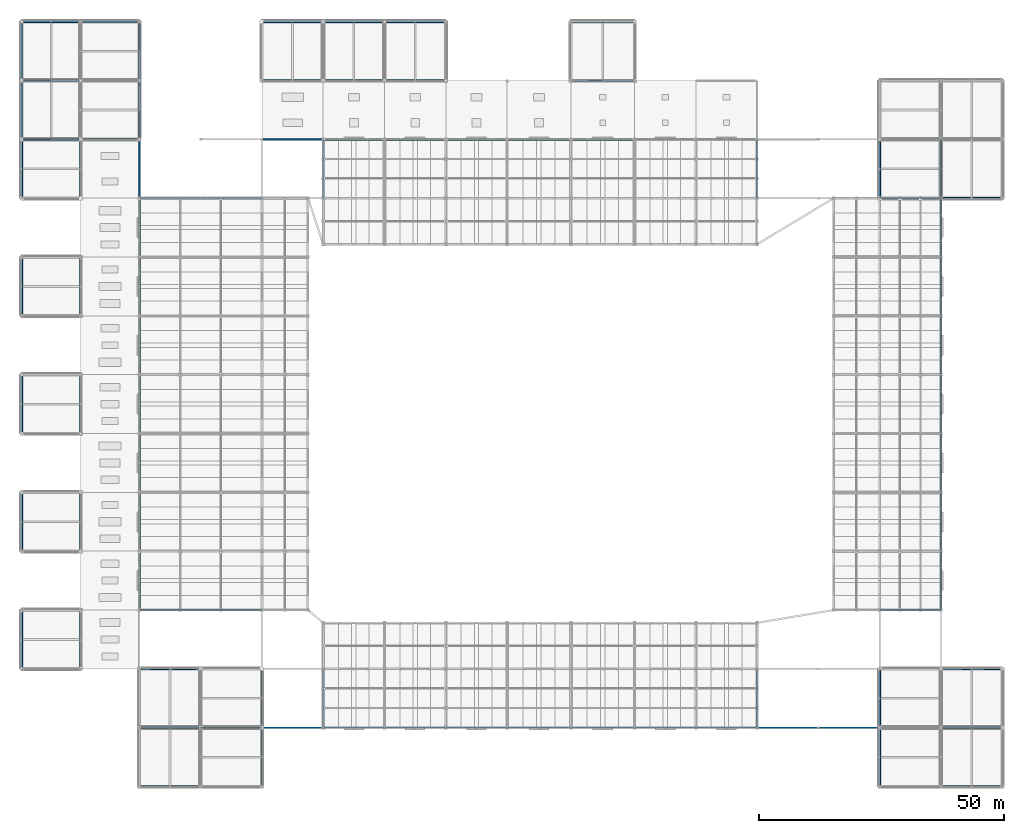
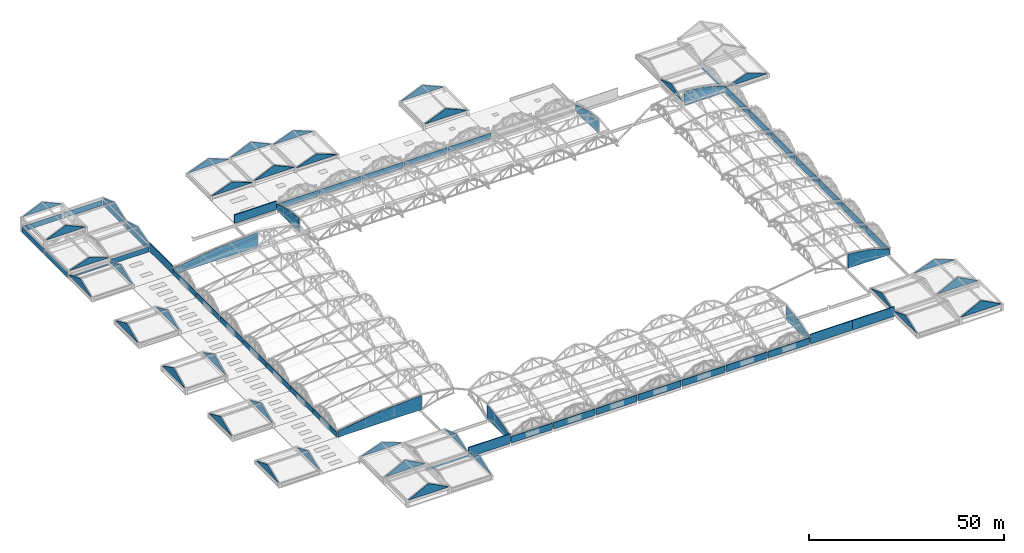
# One storey, part 109 of 117: 84 walls.
"""IFC4 building model written with IfcOpenShell, lengths in metres."""

from ifc_helpers import new_model, si_unit, direction, frame, frame_2d, origin, place, context, subcontext, project, spatial, polyline, rectangle, outline, extrude, material, layer, layer_set, type_object, element, save


model = new_model("IFC4")

# Units and contexts
model_context = context("Model", 3, precision=1e-05, world=origin(), true_north=direction((0.0, 1.0)))
body_context = subcontext(model_context, "Body", "Model", "MODEL_VIEW")
ifc_project = project(units=[si_unit("LENGTHUNIT", "METRE"), si_unit("AREAUNIT", "SQUARE_METRE"), si_unit("VOLUMEUNIT", "CUBIC_METRE"), si_unit("PLANEANGLEUNIT", "RADIAN"), si_unit("MASSUNIT", "GRAM", prefix="KILO")], contexts=[model_context])

# Site, building, storey
site_placement = place(None, origin())
site = spatial("IfcSite", under=ifc_project, at=site_placement, CompositionType="ELEMENT")
building_placement = place(site_placement, origin())
building = spatial("IfcBuilding", under=site, at=building_placement, Name="Kazenohara Klinker Stadium", CompositionType="ELEMENT")
storey_placement = place(building_placement, frame((0.0, 0.0, 31.199951171875)))
storey = spatial("IfcBuildingStorey", under=building, at=storey_placement, Name="RF", CompositionType="ELEMENT", Elevation=31.199951171875)

# Walls
ifc_material = material(Name="Clinker brick masonry", Category="masonry")
ifc_layer_1 = layer(ifc_material, 0.280029296875)
ifc_layer_set_1 = layer_set([ifc_layer_1], Name="Clinker brick masonry")
wall_type_1 = type_object("IfcWallType", Name="WAL-EXT-CB280", PredefinedType="SOLIDWALL", material=ifc_layer_set_1)
for number, where, z_axis, x_axis, name in (
    (1, (24.0, 48.154052734375, 0.0), (0.0, 0.0, 1.0), (0.0, 1.0, 0.0), "Perforated clinker-brick canopy screen spandrel EW06 W-01"),
    (2, (24.0, 60.154052734375, 0.0), (0.0, 0.0, 1.0), (0.0, 1.0, 0.0), "Perforated clinker-brick canopy screen spandrel EW06 W-02"),
    (3, (24.0, 72.154052734375, 0.0), (0.0, 0.0, 1.0), (0.0, 1.0, 0.0), "Perforated clinker-brick canopy screen spandrel EW06 W-03"),
    (4, (24.0, 84.154052734375, 0.0), (0.0, 0.0, 1.0), (0.0, 1.0, 0.0), "Perforated clinker-brick canopy screen spandrel EW06 W-04"),
    (5, (24.0, 96.154052734375, 0.0), (0.0, 0.0, 1.0), (0.0, 1.0, 0.0), "Perforated clinker-brick canopy screen spandrel EW06 W-05"),
    (6, (24.0, 108.154052734375, 0.0), (0.0, 0.0, 1.0), (0.0, 1.0, 0.0), "Perforated clinker-brick canopy screen spandrel EW06 W-06"),
    (7, (24.0, 120.154052734375, 0.0), (0.0, 0.0, 1.0), (0.0, 1.0, 0.0), "Perforated clinker-brick canopy screen spandrel EW06 W-07"),
):
    element("IfcWall", number, at=place(storey_placement, frame(where, z_axis=z_axis, x_axis=x_axis)), inside=storey, type_object=wall_type_1, Name=name, PredefinedType="SOLIDWALL", context=body_context, shape_type="SweptSolid", body=[
        extrude(rectangle(XDim=11.69189453125, YDim=0.280029296875, at=frame_2d((5.845947265625, 0.0))), origin(), (0.0, 0.0, 1.0), 1.650146484375),
    ])
for number, where, z_axis, x_axis, name in (
    (8, (187.5, 48.154052734375, -0.369873046875), (0.0, 0.0, 1.0), (0.0, 1.0, 0.0), "Perforated clinker-brick canopy screen spandrel EW06 E-01"),
    (9, (187.5, 60.154052734375, -0.369873046875), (0.0, 0.0, 1.0), (0.0, 1.0, 0.0), "Perforated clinker-brick canopy screen spandrel EW06 E-02"),
    (10, (187.5, 72.154052734375, -0.369873046875), (0.0, 0.0, 1.0), (0.0, 1.0, 0.0), "Perforated clinker-brick canopy screen spandrel EW06 E-03"),
    (11, (187.5, 84.154052734375, -0.369873046875), (0.0, 0.0, 1.0), (0.0, 1.0, 0.0), "Perforated clinker-brick canopy screen spandrel EW06 E-04"),
    (12, (187.5, 96.154052734375, -0.369873046875), (0.0, 0.0, 1.0), (0.0, 1.0, 0.0), "Perforated clinker-brick canopy screen spandrel EW06 E-05"),
    (13, (187.5, 108.154052734375, -0.369873046875), (0.0, 0.0, 1.0), (0.0, 1.0, 0.0), "Perforated clinker-brick canopy screen spandrel EW06 E-06"),
    (14, (187.5, 120.154052734375, -0.369873046875), (0.0, 0.0, 1.0), (0.0, 1.0, 0.0), "Perforated clinker-brick canopy screen spandrel EW06 E-07"),
):
    element("IfcWall", number, at=place(storey_placement, frame(where, z_axis=z_axis, x_axis=x_axis)), inside=storey, type_object=wall_type_1, Name=name, PredefinedType="SOLIDWALL", context=body_context, shape_type="SweptSolid", body=[
        extrude(rectangle(XDim=11.69189453125, YDim=0.280029296875, at=frame_2d((5.845947265625, 0.0))), origin(), (0.0, 0.0, 1.0), 2.02001953125),
    ])
for number, where, z_axis, x_axis, name in (
    (15, (61.654052734375, 144.0, 0.0), (0.0, 0.0, 1.0), (1.0, 0.0, 0.0), "Perforated clinker-brick canopy screen spandrel EW06 N-01"),
    (16, (74.154052734375, 144.0, 0.0), (0.0, 0.0, 1.0), (1.0, 0.0, 0.0), "Perforated clinker-brick canopy screen spandrel EW06 N-02"),
    (17, (86.654052734375, 144.0, 0.0), (0.0, 0.0, 1.0), (1.0, 0.0, 0.0), "Perforated clinker-brick canopy screen spandrel EW06 N-03"),
):
    element("IfcWall", number, at=place(storey_placement, frame(where, z_axis=z_axis, x_axis=x_axis)), inside=storey, type_object=wall_type_1, Name=name, PredefinedType="SOLIDWALL", context=body_context, shape_type="SweptSolid", body=[
        extrude(rectangle(XDim=12.19189453125, YDim=0.280029296875, at=frame_2d((6.095947265625, 0.0))), origin(), (0.0, 0.0, 1.0), 1.650146484375),
    ])
for number, where, z_axis, x_axis, name in (
    (18, (99.154052734375, 144.0, 0.0), (0.0, 0.0, 1.0), (1.0, 0.0, 0.0), "Perforated clinker-brick canopy screen spandrel EW06 N-04"),
    (19, (112.154052734375, 144.0, 0.0), (0.0, 0.0, 1.0), (1.0, 0.0, 0.0), "Perforated clinker-brick canopy screen spandrel EW06 N-05"),
):
    element("IfcWall", number, at=place(storey_placement, frame(where, z_axis=z_axis, x_axis=x_axis)), inside=storey, type_object=wall_type_1, Name=name, PredefinedType="SOLIDWALL", context=body_context, shape_type="SweptSolid", body=[
        extrude(rectangle(XDim=12.69189453125, YDim=0.280029296875, at=frame_2d((6.345947265625, 0.0))), origin(), (0.0, 0.0, 1.0), 1.650146484375),
    ])
for number, where, z_axis, x_axis, name in (
    (20, (61.654052734375, 24.0, -0.369873046875), (0.0, 0.0, 1.0), (1.0, 0.0, 0.0), "Perforated clinker-brick canopy screen spandrel EW06 S-01"),
    (21, (74.154052734375, 24.0, -0.369873046875), (0.0, 0.0, 1.0), (1.0, 0.0, 0.0), "Perforated clinker-brick canopy screen spandrel EW06 S-02"),
    (22, (86.654052734375, 24.0, -0.369873046875), (0.0, 0.0, 1.0), (1.0, 0.0, 0.0), "Perforated clinker-brick canopy screen spandrel EW06 S-03"),
):
    element("IfcWall", number, at=place(storey_placement, frame(where, z_axis=z_axis, x_axis=x_axis)), inside=storey, type_object=wall_type_1, Name=name, PredefinedType="SOLIDWALL", context=body_context, shape_type="SweptSolid", body=[
        extrude(rectangle(XDim=12.19189453125, YDim=0.280029296875, at=frame_2d((6.095947265625, 0.0))), origin(), (0.0, 0.0, 1.0), 2.02001953125),
    ])
for number, where, z_axis, x_axis, name in (
    (23, (99.154052734375, 24.0, -0.369873046875), (0.0, 0.0, 1.0), (1.0, 0.0, 0.0), "Perforated clinker-brick canopy screen spandrel EW06 S-04"),
    (24, (112.154052734375, 24.0, -0.369873046875), (0.0, 0.0, 1.0), (1.0, 0.0, 0.0), "Perforated clinker-brick canopy screen spandrel EW06 S-05"),
):
    element("IfcWall", number, at=place(storey_placement, frame(where, z_axis=z_axis, x_axis=x_axis)), inside=storey, type_object=wall_type_1, Name=name, PredefinedType="SOLIDWALL", context=body_context, shape_type="SweptSolid", body=[
        extrude(rectangle(XDim=12.69189453125, YDim=0.280029296875, at=frame_2d((6.345947265625, 0.0))), origin(), (0.0, 0.0, 1.0), 2.02001953125),
    ])
for number, where, z_axis, x_axis, name in (
    (25, (125.154052734375, 24.0, -0.369873046875), (0.0, 0.0, 1.0), (1.0, 0.0, 0.0), "Perforated clinker-brick canopy screen spandrel EW06 S-06"),
    (26, (137.654052734375, 24.0, -0.369873046875), (0.0, 0.0, 1.0), (1.0, 0.0, 0.0), "Perforated clinker-brick canopy screen spandrel EW06 S-07"),
):
    element("IfcWall", number, at=place(storey_placement, frame(where, z_axis=z_axis, x_axis=x_axis)), inside=storey, type_object=wall_type_1, Name=name, PredefinedType="SOLIDWALL", context=body_context, shape_type="SweptSolid", body=[
        extrude(rectangle(XDim=12.19189453125, YDim=0.280029296875, at=frame_2d((6.095947265625, 0.0))), origin(), (0.0, 0.0, 1.0), 2.02001953125),
    ])
wall_1_placement = place(storey_placement, frame((24.0, 132.154052734375, 0.0), z_axis=(0.0, 0.0, 1.0), x_axis=(0.0, 1.0, 0.0)))
element("IfcWall", 27, at=wall_1_placement, inside=storey, type_object=wall_type_1, Name="Clinker-brick canopy ring link spandrel EW06 W-11", PredefinedType="SOLIDWALL", context=body_context, shape_type="SweptSolid", body=[
    extrude(rectangle(XDim=11.842041015625, YDim=0.280029296875, at=frame_2d((5.9208984375, 0.0))), origin(), (0.0, 0.0, 1.0), 2.650146484375),
])
wall_2_placement = place(storey_placement, frame((187.5, 132.154052734375, -0.369873046875), z_axis=(0.0, 0.0, 1.0), x_axis=(0.0, 1.0, 0.0)))
element("IfcWall", 28, at=wall_2_placement, inside=storey, type_object=wall_type_1, Name="Clinker-brick canopy ring link spandrel EW06 E-11", PredefinedType="SOLIDWALL", context=body_context, shape_type="SweptSolid", body=[
    extrude(rectangle(XDim=11.842041015625, YDim=0.280029296875, at=frame_2d((5.9208984375, 0.0))), origin(), (0.0, 0.0, 1.0), 0.75),
])
wall_3_placement = place(storey_placement, frame((36.50390625, 24.0, -0.369873046875), z_axis=(0.0, 0.0, 1.0), x_axis=(1.0, 0.0, 0.0)))
element("IfcWall", 29, at=wall_3_placement, inside=storey, type_object=wall_type_1, Name="Clinker-brick canopy ring link spandrel EW06 S-03", PredefinedType="SOLIDWALL", context=body_context, shape_type="SweptSolid", body=[
    extrude(rectangle(XDim=12.4921875, YDim=0.280029296875, at=frame_2d((6.24609375, 0.0))), origin(), (0.0, 0.0, 1.0), 0.75),
])
for number, where, z_axis, x_axis, name in (
    (30, (49.00390625, 24.0, -0.369873046875), (0.0, 0.0, 1.0), (1.0, 0.0, 0.0), "Clinker-brick canopy ring link spandrel EW06 S-04"),
    (31, (150.154052734375, 24.0, -0.369873046875), (0.0, 0.0, 1.0), (1.0, 0.0, 0.0), "Clinker-brick canopy ring link spandrel EW06 S-12"),
):
    element("IfcWall", number, at=place(storey_placement, frame(where, z_axis=z_axis, x_axis=x_axis)), inside=storey, type_object=wall_type_1, Name=name, PredefinedType="SOLIDWALL", context=body_context, shape_type="SweptSolid", body=[
        extrude(rectangle(XDim=12.342041015625, YDim=0.280029296875, at=frame_2d((6.1708984375, 0.0))), origin(), (0.0, 0.0, 1.0), 3.02001953125),
    ])
wall_4_placement = place(storey_placement, frame((162.50390625, 24.0, -0.369873046875), z_axis=(0.0, 0.0, 1.0), x_axis=(1.0, 0.0, 0.0)))
element("IfcWall", 32, at=wall_4_placement, inside=storey, type_object=wall_type_1, Name="Clinker-brick canopy ring link spandrel EW06 S-13", PredefinedType="SOLIDWALL", context=body_context, shape_type="SweptSolid", body=[
    extrude(rectangle(XDim=12.4921875, YDim=0.280029296875, at=frame_2d((6.24609375, 0.0))), origin(), (0.0, 0.0, 1.0), 3.02001953125),
])
wall_5_placement = place(storey_placement, frame((49.00390625, 144.0, 0.0), z_axis=(0.0, 0.0, 1.0), x_axis=(1.0, 0.0, 0.0)))
element("IfcWall", 33, at=wall_5_placement, inside=storey, type_object=wall_type_1, Name="Clinker-brick canopy ring link spandrel EW06 N-04", PredefinedType="SOLIDWALL", context=body_context, shape_type="SweptSolid", body=[
    extrude(rectangle(XDim=12.342041015625, YDim=0.280029296875, at=frame_2d((6.1708984375, 0.0))), origin(), (0.0, 0.0, 1.0), 2.650146484375),
])
for number, where, z_axis, x_axis, name in (
    (34, (24.154052734375, 48.0, 0.0), (0.0, 0.0, 1.0), (1.0, 0.0, 0.0), "Arched klinker canopy end gable wall EW06 W-0"),
    (35, (24.154052734375, 132.0, 0.0), (0.0, 0.0, 1.0), (1.0, 0.0, 0.0), "Arched klinker canopy end gable wall EW06 W-7"),
):
    element("IfcWall", number, at=place(storey_placement, frame(where, z_axis=z_axis, x_axis=x_axis)), inside=storey, type_object=wall_type_1, Name=name, PredefinedType="SOLIDWALL", context=body_context, shape_type="SweptSolid", body=[
        extrude(outline(polyline([(0.0, 0.0), (24.69189453125, 0.0), (24.69189453125, 4.429931640625), (12.345947265625, 3.675048828125), (0.0, 1.880126953125), (0.0, 0.0)])), frame((0.0, 0.14013671875, 0.0), z_axis=(0.0, -1.0, 0.0), x_axis=(1.0, 0.0, 0.0)), (0.0, 0.0, 1.0), 0.280029296875),
    ])
for number, where, z_axis, x_axis, name in (
    (36, (175.154052734375, 48.0, 0.0), (0.0, 0.0, 1.0), (1.0, 0.0, 0.0), "Arched klinker canopy end gable wall EW06 E-0"),
    (37, (175.154052734375, 132.0, 0.0), (0.0, 0.0, 1.0), (1.0, 0.0, 0.0), "Arched klinker canopy end gable wall EW06 E-7"),
):
    element("IfcWall", number, at=place(storey_placement, frame(where, z_axis=z_axis, x_axis=x_axis)), inside=storey, type_object=wall_type_1, Name=name, PredefinedType="SOLIDWALL", context=body_context, shape_type="SweptSolid", body=[
        extrude(outline(polyline([(0.0, 0.0), (12.19189453125, 0.0), (12.19189453125, 1.880126953125), (6.095947265625, 3.675048828125), (0.0, 4.429931640625), (0.0, 0.0)])), frame((0.0, 0.14013671875, 0.0), z_axis=(0.0, -1.0, 0.0), x_axis=(1.0, 0.0, 0.0)), (0.0, 0.0, 1.0), 0.280029296875),
    ])
for number, where, z_axis, x_axis, name in (
    (38, (61.5, 132.154052734375, 0.0), (0.0, 0.0, 1.0), (0.0, 1.0, 0.0), "Arched klinker canopy end gable wall EW06 N-0"),
    (39, (150.0, 132.154052734375, 0.0), (0.0, 0.0, 1.0), (0.0, 1.0, 0.0), "Arched klinker canopy end gable wall EW06 N-7"),
):
    element("IfcWall", number, at=place(storey_placement, frame(where, z_axis=z_axis, x_axis=x_axis)), inside=storey, type_object=wall_type_1, Name=name, PredefinedType="SOLIDWALL", context=body_context, shape_type="SweptSolid", body=[
        extrude(outline(polyline([(0.0, 0.0), (11.69189453125, 0.0), (11.69189453125, 1.880126953125), (5.845947265625, 3.675048828125), (0.0, 4.429931640625), (0.0, 0.0)])), frame((0.0, 0.14013671875, 0.0), z_axis=(0.0, -1.0, 0.0), x_axis=(1.0, 0.0, 0.0)), (0.0, 0.0, 1.0), 0.280029296875),
    ])
for number, where, z_axis, x_axis, name in (
    (40, (61.5, 24.154052734375, 0.0), (0.0, 0.0, 1.0), (0.0, 1.0, 0.0), "Arched klinker canopy end gable wall EW06 S-0"),
    (41, (150.0, 24.154052734375, 0.0), (0.0, 0.0, 1.0), (0.0, 1.0, 0.0), "Arched klinker canopy end gable wall EW06 S-7"),
):
    element("IfcWall", number, at=place(storey_placement, frame(where, z_axis=z_axis, x_axis=x_axis)), inside=storey, type_object=wall_type_1, Name=name, PredefinedType="SOLIDWALL", context=body_context, shape_type="SweptSolid", body=[
        extrude(outline(polyline([(0.0, 0.0), (11.69189453125, 0.0), (11.69189453125, 4.429931640625), (5.845947265625, 3.675048828125), (0.0, 1.880126953125), (0.0, 0.0)])), frame((0.0, 0.14013671875, 0.0), z_axis=(0.0, -1.0, 0.0), x_axis=(1.0, 0.0, 0.0)), (0.0, 0.0, 1.0), 0.280029296875),
    ])
ifc_layer_2 = layer(ifc_material, 0.31005859375)
ifc_layer_set_2 = layer_set([ifc_layer_2], Name="Clinker brick masonry")
wall_type_2 = type_object("IfcWallType", Name="WAL-EXT-CB310", PredefinedType="SOLIDWALL", material=ifc_layer_set_2)
wall_6_placement = place(storey_placement, frame((0.35009765625, 144.0, 0.0), z_axis=(0.0, 0.0, 1.0), x_axis=(1.0, 0.0, 0.0)))
element("IfcWall", 42, at=wall_6_placement, inside=storey, type_object=wall_type_2, Name="Marathon Gate stepped klinker attic wall EW05 X0-12", PredefinedType="SOLIDWALL", context=body_context, shape_type="SweptSolid", body=[
    extrude(rectangle(XDim=11.2998046875, YDim=0.31005859375, at=frame_2d((5.64990234375, 0.0))), origin(), (0.0, 0.0, 1.0), 0.47998046875),
])
for number, where, z_axis, x_axis, name in (
    (43, (0.0, 144.35009765625, 0.0), (0.0, 0.0, 1.0), (0.0, 1.0, 0.0), "Marathon Gate stepped klinker attic wall EW05 Y0-12"),
    (44, (0.35009765625, 168.0, 0.0), (0.0, 0.0, 1.0), (1.0, 0.0, 0.0), "Marathon Gate stepped klinker attic wall EW05 X0-14"),
    (45, (0.0, 156.35009765625, 0.0), (0.0, 0.0, 1.0), (0.0, 1.0, 0.0), "Marathon Gate stepped klinker attic wall EW05 Y0-13"),
    (46, (12.35009765625, 144.0, 0.0), (0.0, 0.0, 1.0), (1.0, 0.0, 0.0), "Marathon Gate stepped klinker attic wall EW05 X1-12"),
    (47, (24.0, 144.35009765625, 0.0), (0.0, 0.0, 1.0), (0.0, 1.0, 0.0), "Marathon Gate stepped klinker attic wall EW05 Y2-12"),
    (48, (12.35009765625, 168.0, 0.0), (0.0, 0.0, 1.0), (1.0, 0.0, 0.0), "Marathon Gate stepped klinker attic wall EW05 X1-14"),
    (49, (24.0, 156.35009765625, 0.0), (0.0, 0.0, 1.0), (0.0, 1.0, 0.0), "Marathon Gate stepped klinker attic wall EW05 Y2-13"),
):
    element("IfcWall", number, at=place(storey_placement, frame(where, z_axis=z_axis, x_axis=x_axis)), inside=storey, type_object=wall_type_2, Name=name, PredefinedType="SOLIDWALL", context=body_context, shape_type="SweptSolid", body=[
        extrude(rectangle(XDim=11.2998046875, YDim=0.31005859375, at=frame_2d((5.64990234375, 0.0))), origin(), (0.0, 0.0, 1.0), 1.580078125),
    ])
ifc_layer_3 = layer(ifc_material, 0.360107421875)
ifc_layer_set_3 = layer_set([ifc_layer_3], Name="Clinker brick masonry")
wall_type_3 = type_object("IfcWallType", Name="WAL-PAR-CRN360", PredefinedType="PARAPET", material=ifc_layer_set_3)
for number, where, z_axis, x_axis, name in (
    (50, (0.35009765625, 156.0, 4.64013671875), (0.0, 0.0, 1.0), (1.0, 0.0, 0.0), "Amsterdam School stepped klinker gable PW03 GT1-NW-S"),
    (51, (0.35009765625, 168.0, 4.64013671875), (0.0, 0.0, 1.0), (1.0, 0.0, 0.0), "Amsterdam School stepped klinker gable PW03 GT1-NW-N"),
):
    element("IfcWall", number, at=place(storey_placement, frame(where, z_axis=z_axis, x_axis=x_axis)), inside=storey, type_object=wall_type_3, Name=name, PredefinedType="PARAPET", context=body_context, shape_type="SweptSolid", body=[
        extrude(outline(polyline([(0.0, 0.0), (11.2998046875, 0.0), (11.199951171875, 0.079833984375), (5.60009765625, 2.60986328125), (0.0, 0.079833984375), (0.0, 0.0)])), frame((0.0, 0.18017578125, 0.0), z_axis=(0.0, -1.0, 0.0), x_axis=(1.0, 0.0, 0.0)), (0.0, 0.0, 1.0), 0.360107421875),
    ])
for number, where, z_axis, x_axis, name in (
    (52, (24.0, 156.35009765625, 2.340087890625), (0.0, 0.0, 1.0), (0.0, 1.0, 0.0), "Amsterdam School stepped klinker gable PW03 GT1-NE-E"),
    (53, (0.35009765625, 144.0, 2.340087890625), (0.0, 0.0, 1.0), (1.0, 0.0, 0.0), "Amsterdam School stepped klinker gable PW03 GT1-SW-S"),
):
    element("IfcWall", number, at=place(storey_placement, frame(where, z_axis=z_axis, x_axis=x_axis)), inside=storey, type_object=wall_type_3, Name=name, PredefinedType="PARAPET", context=body_context, shape_type="SweptSolid", body=[
        extrude(outline(polyline([(0.0, 0.0), (11.2998046875, 0.0), (11.199951171875, 0.080078125), (5.60009765625, 2.10986328125), (0.0, 0.080078125), (0.0, 0.0)])), frame((0.0, 0.18017578125, 0.0), z_axis=(0.0, -1.0, 0.0), x_axis=(1.0, 0.0, 0.0)), (0.0, 0.0, 1.0), 0.360107421875),
    ])
wall_7_placement = place(storey_placement, frame((24.0, 144.35009765625, 2.340087890625), z_axis=(0.0, 0.0, 1.0), x_axis=(0.0, 1.0, 0.0)))
element("IfcWall", 54, at=wall_7_placement, inside=storey, type_object=wall_type_3, Name="Amsterdam School stepped klinker gable PW03 GT1-SE-E", PredefinedType="PARAPET", context=body_context, shape_type="SweptSolid", body=[
    extrude(outline(polyline([(0.0, 0.0), (11.2998046875, 0.0), (11.199951171875, 0.080078125), (5.60009765625, 1.7099609375), (0.0, 0.080078125), (0.0, 0.0)])), frame((0.0, 0.18017578125, 0.0), z_axis=(0.0, -1.0, 0.0), x_axis=(1.0, 0.0, 0.0)), (0.0, 0.0, 1.0), 0.360107421875),
])
for number, where, z_axis, x_axis, name in (
    (55, (24.35009765625, 12.0, 2.14013671875), (0.0, 0.0, 1.0), (1.0, 0.0, 0.0), "Amsterdam School stepped klinker gable PW03 GT2-SW-S"),
    (56, (24.35009765625, 24.0, 2.14013671875), (0.0, 0.0, 1.0), (1.0, 0.0, 0.0), "Amsterdam School stepped klinker gable PW03 GT2-SW-N"),
):
    element("IfcWall", number, at=place(storey_placement, frame(where, z_axis=z_axis, x_axis=x_axis)), inside=storey, type_object=wall_type_3, Name=name, PredefinedType="PARAPET", context=body_context, shape_type="SweptSolid", body=[
        extrude(outline(polyline([(0.0, 0.0), (11.7998046875, 0.0), (11.699951171875, 0.079833984375), (5.85009765625, 3.159912109375), (0.0, 0.079833984375), (0.0, 0.0)])), frame((0.0, 0.18017578125, 0.0), z_axis=(0.0, -1.0, 0.0), x_axis=(1.0, 0.0, 0.0)), (0.0, 0.0, 1.0), 0.360107421875),
    ])
wall_8_placement = place(storey_placement, frame((49.0, 12.35009765625, 1.340087890625), z_axis=(0.0, 0.0, 1.0), x_axis=(0.0, 1.0, 0.0)))
element("IfcWall", 57, at=wall_8_placement, inside=storey, type_object=wall_type_3, Name="Amsterdam School stepped klinker gable PW03 GT2-SE-E", PredefinedType="PARAPET", context=body_context, shape_type="SweptSolid", body=[
    extrude(outline(polyline([(0.0, 0.0), (11.2998046875, 0.0), (11.199951171875, 0.080078125), (5.60009765625, 2.260009765625), (0.0, 0.080078125), (0.0, 0.0)])), frame((0.0, 0.18017578125, 0.0), z_axis=(0.0, -1.0, 0.0), x_axis=(1.0, 0.0, 0.0)), (0.0, 0.0, 1.0), 0.360107421875),
])
wall_9_placement = place(storey_placement, frame((24.35009765625, 36.0, 1.340087890625), z_axis=(0.0, 0.0, 1.0), x_axis=(1.0, 0.0, 0.0)))
element("IfcWall", 58, at=wall_9_placement, inside=storey, type_object=wall_type_3, Name="Amsterdam School stepped klinker gable PW03 GT2-NW-N", PredefinedType="PARAPET", context=body_context, shape_type="SweptSolid", body=[
    extrude(outline(polyline([(0.0, 0.0), (11.7998046875, 0.0), (11.699951171875, 0.080078125), (5.85009765625, 2.260009765625), (0.0, 0.080078125), (0.0, 0.0)])), frame((0.0, 0.18017578125, 0.0), z_axis=(0.0, -1.0, 0.0), x_axis=(1.0, 0.0, 0.0)), (0.0, 0.0, 1.0), 0.360107421875),
])
wall_10_placement = place(storey_placement, frame((49.0, 24.35009765625, 1.14013671875), z_axis=(0.0, 0.0, 1.0), x_axis=(0.0, 1.0, 0.0)))
element("IfcWall", 59, at=wall_10_placement, inside=storey, type_object=wall_type_3, Name="Amsterdam School stepped klinker gable PW03 GT2-NE-E", PredefinedType="PARAPET", context=body_context, shape_type="SweptSolid", body=[
    extrude(outline(polyline([(0.0, 0.0), (11.2998046875, 0.0), (11.199951171875, 0.079833984375), (5.60009765625, 2.10986328125), (0.0, 0.079833984375), (0.0, 0.0)])), frame((0.0, 0.18017578125, 0.0), z_axis=(0.0, -1.0, 0.0), x_axis=(1.0, 0.0, 0.0)), (0.0, 0.0, 1.0), 0.360107421875),
])
wall_11_placement = place(storey_placement, frame((187.85009765625, 132.0, 1.340087890625), z_axis=(0.0, 0.0, 1.0), x_axis=(1.0, 0.0, 0.0)))
element("IfcWall", 60, at=wall_11_placement, inside=storey, type_object=wall_type_3, Name="Amsterdam School stepped klinker gable PW03 GT3-SE-S", PredefinedType="PARAPET", context=body_context, shape_type="SweptSolid", body=[
    extrude(outline(polyline([(0.0, 0.0), (11.7998046875, 0.0), (11.699951171875, 0.080078125), (5.85009765625, 2.260009765625), (0.0, 0.080078125), (0.0, 0.0)])), frame((0.0, 0.18017578125, 0.0), z_axis=(0.0, -1.0, 0.0), x_axis=(1.0, 0.0, 0.0)), (0.0, 0.0, 1.0), 0.360107421875),
])
wall_12_placement = place(storey_placement, frame((175.0, 132.35009765625, 1.14013671875), z_axis=(0.0, 0.0, 1.0), x_axis=(0.0, 1.0, 0.0)))
element("IfcWall", 61, at=wall_12_placement, inside=storey, type_object=wall_type_3, Name="Amsterdam School stepped klinker gable PW03 GT3-SW-W", PredefinedType="PARAPET", context=body_context, shape_type="SweptSolid", body=[
    extrude(outline(polyline([(0.0, 0.0), (11.2998046875, 0.0), (11.199951171875, 0.079833984375), (5.60009765625, 2.10986328125), (0.0, 0.079833984375), (0.0, 0.0)])), frame((0.0, 0.18017578125, 0.0), z_axis=(0.0, -1.0, 0.0), x_axis=(1.0, 0.0, 0.0)), (0.0, 0.0, 1.0), 0.360107421875),
])
for number, where, z_axis, x_axis, name in (
    (62, (187.85009765625, 12.0, 2.14013671875), (0.0, 0.0, 1.0), (1.0, 0.0, 0.0), "Amsterdam School stepped klinker gable PW03 GT4-SE-S"),
    (63, (187.85009765625, 24.0, 2.14013671875), (0.0, 0.0, 1.0), (1.0, 0.0, 0.0), "Amsterdam School stepped klinker gable PW03 GT4-SE-N"),
):
    element("IfcWall", number, at=place(storey_placement, frame(where, z_axis=z_axis, x_axis=x_axis)), inside=storey, type_object=wall_type_3, Name=name, PredefinedType="PARAPET", context=body_context, shape_type="SweptSolid", body=[
        extrude(outline(polyline([(0.0, 0.0), (11.7998046875, 0.0), (11.699951171875, 0.079833984375), (5.85009765625, 3.159912109375), (0.0, 0.079833984375), (0.0, 0.0)])), frame((0.0, 0.18017578125, 0.0), z_axis=(0.0, -1.0, 0.0), x_axis=(1.0, 0.0, 0.0)), (0.0, 0.0, 1.0), 0.360107421875),
    ])
wall_13_placement = place(storey_placement, frame((175.0, 12.35009765625, 1.340087890625), z_axis=(0.0, 0.0, 1.0), x_axis=(0.0, 1.0, 0.0)))
element("IfcWall", 64, at=wall_13_placement, inside=storey, type_object=wall_type_3, Name="Amsterdam School stepped klinker gable PW03 GT4-SW-W", PredefinedType="PARAPET", context=body_context, shape_type="SweptSolid", body=[
    extrude(outline(polyline([(0.0, 0.0), (11.2998046875, 0.0), (11.199951171875, 0.080078125), (5.60009765625, 2.260009765625), (0.0, 0.080078125), (0.0, 0.0)])), frame((0.0, 0.18017578125, 0.0), z_axis=(0.0, -1.0, 0.0), x_axis=(1.0, 0.0, 0.0)), (0.0, 0.0, 1.0), 0.360107421875),
])
wall_14_placement = place(storey_placement, frame((187.85009765625, 36.0, 1.340087890625), z_axis=(0.0, 0.0, 1.0), x_axis=(1.0, 0.0, 0.0)))
element("IfcWall", 65, at=wall_14_placement, inside=storey, type_object=wall_type_3, Name="Amsterdam School stepped klinker gable PW03 GT4-NE-N", PredefinedType="PARAPET", context=body_context, shape_type="SweptSolid", body=[
    extrude(outline(polyline([(0.0, 0.0), (11.7998046875, 0.0), (11.699951171875, 0.080078125), (5.85009765625, 2.260009765625), (0.0, 0.080078125), (0.0, 0.0)])), frame((0.0, 0.18017578125, 0.0), z_axis=(0.0, -1.0, 0.0), x_axis=(1.0, 0.0, 0.0)), (0.0, 0.0, 1.0), 0.360107421875),
])
wall_15_placement = place(storey_placement, frame((175.0, 24.35009765625, 1.14013671875), z_axis=(0.0, 0.0, 1.0), x_axis=(0.0, 1.0, 0.0)))
element("IfcWall", 66, at=wall_15_placement, inside=storey, type_object=wall_type_3, Name="Amsterdam School stepped klinker gable PW03 GT4-NW-W", PredefinedType="PARAPET", context=body_context, shape_type="SweptSolid", body=[
    extrude(outline(polyline([(0.0, 0.0), (11.2998046875, 0.0), (11.199951171875, 0.079833984375), (5.60009765625, 2.10986328125), (0.0, 0.079833984375), (0.0, 0.0)])), frame((0.0, 0.18017578125, 0.0), z_axis=(0.0, -1.0, 0.0), x_axis=(1.0, 0.0, 0.0)), (0.0, 0.0, 1.0), 0.360107421875),
])
for number, where, z_axis, x_axis, name in (
    (67, (0.0, 36.35009765625, 1.239990234375), (0.0, 0.0, 1.0), (0.0, 1.0, 0.0), "Amsterdam School stepped klinker gable PW03 WBST-03-W"),
    (68, (12.0, 36.35009765625, 1.239990234375), (0.0, 0.0, 1.0), (0.0, 1.0, 0.0), "Amsterdam School stepped klinker gable PW03 WBST-03-E"),
):
    element("IfcWall", number, at=place(storey_placement, frame(where, z_axis=z_axis, x_axis=x_axis)), inside=storey, type_object=wall_type_3, Name=name, PredefinedType="PARAPET", context=body_context, shape_type="SweptSolid", body=[
        extrude(outline(polyline([(0.0, 0.0), (11.2998046875, 0.0), (11.199951171875, 0.080078125), (5.60009765625, 2.41015625), (0.0, 0.080078125), (0.0, 0.0)])), frame((0.0, 0.18017578125, 0.0), z_axis=(0.0, -1.0, 0.0), x_axis=(1.0, 0.0, 0.0)), (0.0, 0.0, 1.0), 0.360107421875),
    ])
for number, where, z_axis, x_axis, name in (
    (69, (0.0, 60.35009765625, 1.43994140625), (0.0, 0.0, 1.0), (0.0, 1.0, 0.0), "Amsterdam School stepped klinker gable PW03 WBST-05-W"),
    (70, (12.0, 60.35009765625, 1.43994140625), (0.0, 0.0, 1.0), (0.0, 1.0, 0.0), "Amsterdam School stepped klinker gable PW03 WBST-05-E"),
):
    element("IfcWall", number, at=place(storey_placement, frame(where, z_axis=z_axis, x_axis=x_axis)), inside=storey, type_object=wall_type_3, Name=name, PredefinedType="PARAPET", context=body_context, shape_type="SweptSolid", body=[
        extrude(outline(polyline([(0.0, 0.0), (11.2998046875, 0.0), (11.199951171875, 0.080078125), (5.60009765625, 2.66015625), (0.0, 0.080078125), (0.0, 0.0)])), frame((0.0, 0.18017578125, 0.0), z_axis=(0.0, -1.0, 0.0), x_axis=(1.0, 0.0, 0.0)), (0.0, 0.0, 1.0), 0.360107421875),
    ])
for number, where, z_axis, x_axis, name in (
    (71, (0.0, 84.35009765625, 1.840087890625), (0.0, 0.0, 1.0), (0.0, 1.0, 0.0), "Amsterdam School stepped klinker gable PW03 WPAV-07-W"),
    (72, (12.0, 84.35009765625, 1.840087890625), (0.0, 0.0, 1.0), (0.0, 1.0, 0.0), "Amsterdam School stepped klinker gable PW03 WPAV-07-E"),
):
    element("IfcWall", number, at=place(storey_placement, frame(where, z_axis=z_axis, x_axis=x_axis)), inside=storey, type_object=wall_type_3, Name=name, PredefinedType="PARAPET", context=body_context, shape_type="SweptSolid", body=[
        extrude(outline(polyline([(0.0, 0.0), (11.2998046875, 0.0), (11.199951171875, 0.080078125), (5.60009765625, 2.9599609375), (0.0, 0.080078125), (0.0, 0.0)])), frame((0.0, 0.18017578125, 0.0), z_axis=(0.0, -1.0, 0.0), x_axis=(1.0, 0.0, 0.0)), (0.0, 0.0, 1.0), 0.360107421875),
    ])
for number, where, z_axis, x_axis, name in (
    (73, (0.0, 108.35009765625, 1.43994140625), (0.0, 0.0, 1.0), (0.0, 1.0, 0.0), "Amsterdam School stepped klinker gable PW03 WBST-09-W"),
    (74, (12.0, 108.35009765625, 1.43994140625), (0.0, 0.0, 1.0), (0.0, 1.0, 0.0), "Amsterdam School stepped klinker gable PW03 WBST-09-E"),
):
    element("IfcWall", number, at=place(storey_placement, frame(where, z_axis=z_axis, x_axis=x_axis)), inside=storey, type_object=wall_type_3, Name=name, PredefinedType="PARAPET", context=body_context, shape_type="SweptSolid", body=[
        extrude(outline(polyline([(0.0, 0.0), (11.2998046875, 0.0), (11.199951171875, 0.080078125), (5.60009765625, 2.66015625), (0.0, 0.080078125), (0.0, 0.0)])), frame((0.0, 0.18017578125, 0.0), z_axis=(0.0, -1.0, 0.0), x_axis=(1.0, 0.0, 0.0)), (0.0, 0.0, 1.0), 0.360107421875),
    ])
for number, where, z_axis, x_axis, name in (
    (75, (0.0, 132.35009765625, 1.239990234375), (0.0, 0.0, 1.0), (0.0, 1.0, 0.0), "Amsterdam School stepped klinker gable PW03 WBST-11-W"),
    (76, (12.0, 132.35009765625, 1.239990234375), (0.0, 0.0, 1.0), (0.0, 1.0, 0.0), "Amsterdam School stepped klinker gable PW03 WBST-11-E"),
):
    element("IfcWall", number, at=place(storey_placement, frame(where, z_axis=z_axis, x_axis=x_axis)), inside=storey, type_object=wall_type_3, Name=name, PredefinedType="PARAPET", context=body_context, shape_type="SweptSolid", body=[
        extrude(outline(polyline([(0.0, 0.0), (11.2998046875, 0.0), (11.199951171875, 0.080078125), (5.60009765625, 2.41015625), (0.0, 0.080078125), (0.0, 0.0)])), frame((0.0, 0.18017578125, 0.0), z_axis=(0.0, -1.0, 0.0), x_axis=(1.0, 0.0, 0.0)), (0.0, 0.0, 1.0), 0.360107421875),
    ])
for number, where, z_axis, x_axis, name in (
    (77, (49.35009765625, 156.0, 1.239990234375), (0.0, 0.0, 1.0), (1.0, 0.0, 0.0), "Amsterdam School stepped klinker gable PW03 NBST-04-S"),
    (78, (49.35009765625, 168.0, 1.239990234375), (0.0, 0.0, 1.0), (1.0, 0.0, 0.0), "Amsterdam School stepped klinker gable PW03 NBST-04-N"),
):
    element("IfcWall", number, at=place(storey_placement, frame(where, z_axis=z_axis, x_axis=x_axis)), inside=storey, type_object=wall_type_3, Name=name, PredefinedType="PARAPET", context=body_context, shape_type="SweptSolid", body=[
        extrude(outline(polyline([(0.0, 0.0), (11.7998046875, 0.0), (11.699951171875, 0.080078125), (5.85009765625, 2.360107421875), (0.0, 0.080078125), (0.0, 0.0)])), frame((0.0, 0.18017578125, 0.0), z_axis=(0.0, -1.0, 0.0), x_axis=(1.0, 0.0, 0.0)), (0.0, 0.0, 1.0), 0.360107421875),
    ])
for number, where, z_axis, x_axis, name in (
    (79, (61.85009765625, 156.0, 1.64013671875), (0.0, 0.0, 1.0), (1.0, 0.0, 0.0), "Amsterdam School stepped klinker gable PW03 NBST-05-S"),
    (80, (61.85009765625, 168.0, 1.64013671875), (0.0, 0.0, 1.0), (1.0, 0.0, 0.0), "Amsterdam School stepped klinker gable PW03 NBST-05-N"),
):
    element("IfcWall", number, at=place(storey_placement, frame(where, z_axis=z_axis, x_axis=x_axis)), inside=storey, type_object=wall_type_3, Name=name, PredefinedType="PARAPET", context=body_context, shape_type="SweptSolid", body=[
        extrude(outline(polyline([(0.0, 0.0), (11.7998046875, 0.0), (11.699951171875, 0.079833984375), (5.85009765625, 2.760009765625), (0.0, 0.079833984375), (0.0, 0.0)])), frame((0.0, 0.18017578125, 0.0), z_axis=(0.0, -1.0, 0.0), x_axis=(1.0, 0.0, 0.0)), (0.0, 0.0, 1.0), 0.360107421875),
    ])
for number, where, z_axis, x_axis, name in (
    (81, (74.35009765625, 156.0, 1.239990234375), (0.0, 0.0, 1.0), (1.0, 0.0, 0.0), "Amsterdam School stepped klinker gable PW03 NBST-06-S"),
    (82, (74.35009765625, 168.0, 1.239990234375), (0.0, 0.0, 1.0), (1.0, 0.0, 0.0), "Amsterdam School stepped klinker gable PW03 NBST-06-N"),
):
    element("IfcWall", number, at=place(storey_placement, frame(where, z_axis=z_axis, x_axis=x_axis)), inside=storey, type_object=wall_type_3, Name=name, PredefinedType="PARAPET", context=body_context, shape_type="SweptSolid", body=[
        extrude(outline(polyline([(0.0, 0.0), (11.7998046875, 0.0), (11.699951171875, 0.080078125), (5.85009765625, 2.360107421875), (0.0, 0.080078125), (0.0, 0.0)])), frame((0.0, 0.18017578125, 0.0), z_axis=(0.0, -1.0, 0.0), x_axis=(1.0, 0.0, 0.0)), (0.0, 0.0, 1.0), 0.360107421875),
    ])
for number, where, z_axis, x_axis, name in (
    (83, (112.35009765625, 156.0, 1.64013671875), (0.0, 0.0, 1.0), (1.0, 0.0, 0.0), "Amsterdam School stepped klinker gable PW03 NBST-09-S"),
    (84, (112.35009765625, 168.0, 1.64013671875), (0.0, 0.0, 1.0), (1.0, 0.0, 0.0), "Amsterdam School stepped klinker gable PW03 NBST-09-N"),
):
    element("IfcWall", number, at=place(storey_placement, frame(where, z_axis=z_axis, x_axis=x_axis)), inside=storey, type_object=wall_type_3, Name=name, PredefinedType="PARAPET", context=body_context, shape_type="SweptSolid", body=[
        extrude(outline(polyline([(0.0, 0.0), (12.2998046875, 0.0), (12.199951171875, 0.079833984375), (6.10009765625, 2.760009765625), (0.0, 0.079833984375), (0.0, 0.0)])), frame((0.0, 0.18017578125, 0.0), z_axis=(0.0, -1.0, 0.0), x_axis=(1.0, 0.0, 0.0)), (0.0, 0.0, 1.0), 0.360107421875),
    ])

save(model, "model.ifc")
